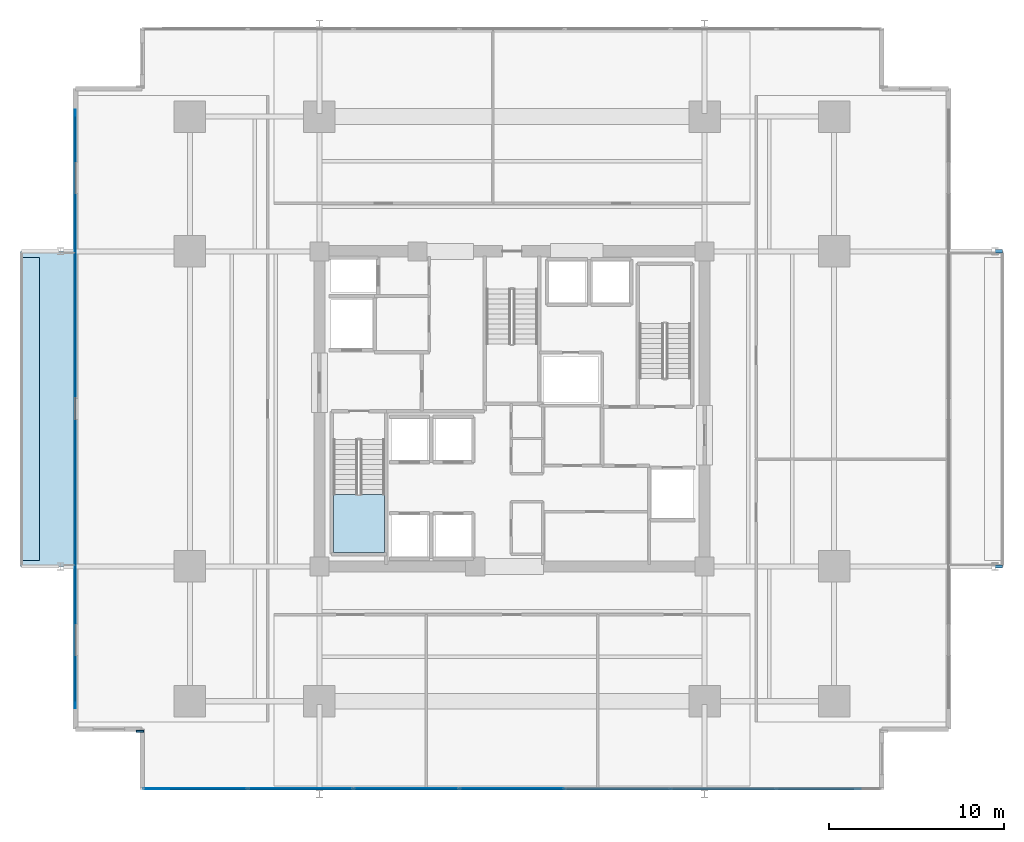
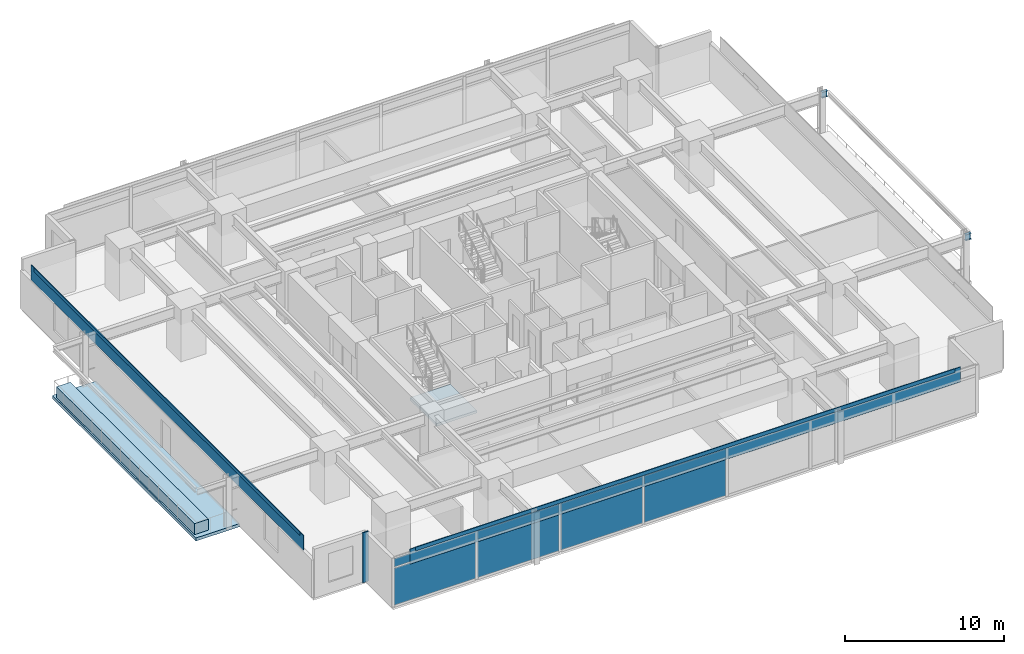
# One storey, part 13 of 21: 13 plates, 3 slabs, 2 beams, 2 elements without a shape of their own.
"""IFC4 building model written with IfcOpenShell, lengths in metres."""

from ifc_helpers import new_model, si_unit, direction, frame, origin, origin_2d, place, context, subcontext, project, spatial, polyline, rectangle, i_section, outline, extrude, material, layer, layer_set, material_profile, profile_set, type_object, element, aggregate, save


model = new_model("IFC4")

# Units and contexts
model_context = context("Model", 3, precision=1e-05, world=origin(), true_north=direction((0.0, 1.0)))
body_context = subcontext(model_context, "Body", "Model", "MODEL_VIEW")
ifc_project = project(units=[si_unit("LENGTHUNIT", "METRE"), si_unit("AREAUNIT", "SQUARE_METRE"), si_unit("VOLUMEUNIT", "CUBIC_METRE"), si_unit("PLANEANGLEUNIT", "RADIAN"), si_unit("MASSUNIT", "GRAM", prefix="KILO")], contexts=[model_context])

# Site, building, storey
site_placement = place(None, origin())
site = spatial("IfcSite", under=ifc_project, at=site_placement, CompositionType="ELEMENT")
building_placement = place(site_placement, origin())
building = spatial("IfcBuilding", under=site, at=building_placement, Name="Kovane Verandah Tower", CompositionType="ELEMENT")
storey_placement = place(building_placement, frame((0.0, 0.0, 31.60009765625)))
storey = spatial("IfcBuildingStorey", under=building, at=storey_placement, Name="L06", CompositionType="ELEMENT", Elevation=31.60009765625)

# Beams
ifc_material_1 = material(Name="Steel S355", Category="steel")
ifc_material_profile = material_profile(ifc_material_1, i_section(OverallWidth=0.19287109375, OverallDepth=0.46728515625, WebThickness=0.011474609375, FlangeThickness=0.01953125, FilletRadius=0.01025390625, at=origin_2d()), Name="UB457x191x98")
ifc_profile_set = profile_set([ifc_material_profile], Name="Steel S355")
beam_type = type_object("IfcBeamType", Name="JST-UB457x98", PredefinedType="JOIST", material=ifc_profile_set)
for number, where, z_axis, x_axis, name in (
    (1, (67.60009765625, 18.5, 3.5263671875), (1.0, 0.0, 0.0), (0.0, 1.0, 0.0), "L06 East Planter Girder 1"),
    (2, (67.60009765625, 36.5, 3.5263671875), (1.0, 0.0, 0.0), (0.0, 1.0, 0.0), "L06 East Planter Girder 2"),
):
    element("IfcBeam", number, at=place(storey_placement, frame(where, z_axis=z_axis, x_axis=x_axis)), inside=storey, type_object=beam_type, Name=name, PredefinedType="JOIST", context=body_context, shape_type="SweptSolid", body=[
        extrude(i_section(OverallWidth=0.19287109375, OverallDepth=0.46728515625, WebThickness=0.011474609375, FlangeThickness=0.01953125, FilletRadius=0.01025390625, at=origin_2d()), origin(), (0.0, 0.0, 1.0), 0.42041015625),
    ])

# Curtain wall, plates
ifc_material_2 = material(Name="Champagne Anodised Aluminium Frame with Low-E Clear Laminated Glass", Category="aluminium")
curtain_wall_type = type_object("IfcCurtainWallType", Name="CW-SYS-02-LOW", PredefinedType="NOTDEFINED", material=ifc_material_2)
curtain_wall_placement = place(storey_placement, origin())
curtain_wall = element("IfcCurtainWall", 3, at=curtain_wall_placement, inside=storey, type_object=curtain_wall_type, Name="L06 S Unitised Curtain Wall", PredefinedType="NOTDEFINED")
ifc_material_3 = material(Name="Pale Champagne Anodised Aluminium Insulated Spandrel", Category="aluminium")
ifc_layer_1 = layer(ifc_material_3, 0.0400390625)
ifc_layer_set_1 = layer_set([ifc_layer_1], Name="Pale Champagne Anodised Aluminium Insulated Spandrel")
plate_type_1 = type_object("IfcPlateType", Name="PL-CW-SPD-40", PredefinedType="SHEET", material=ifc_layer_set_1)
plate_1_placement = place(storey_placement, frame((21.8837890625, 5.804931640625, 3.02978515625), z_axis=(0.0, 0.0, 1.0), x_axis=(1.0, 0.0, 0.0)))
plate_1 = element("IfcPlate", 4, at=plate_1_placement, type_object=plate_type_1, Name="L06 S Unitised Curtain Wall Spandrel Panel 1", PredefinedType="SHEET", context=body_context, shape_type="SweptSolid", body=[
    extrude(rectangle(XDim=5.898681640625, YDim=0.0400390625, at=origin_2d()), origin(), (0.0, 0.0, 1.0), 0.639892578125),
])
plate_2_placement = place(storey_placement, frame((27.922607421875, 5.804931640625, 3.02978515625), z_axis=(0.0, 0.0, 1.0), x_axis=(1.0, 0.0, 0.0)))
plate_2 = element("IfcPlate", 5, at=plate_2_placement, type_object=plate_type_1, Name="L06 S Unitised Curtain Wall Spandrel Panel 2", PredefinedType="SHEET", context=body_context, shape_type="SweptSolid", body=[
    extrude(rectangle(XDim=5.898681640625, YDim=0.0400390625, at=origin_2d()), origin(), (0.0, 0.0, 1.0), 0.639892578125),
])
plate_3_placement = place(storey_placement, frame((33.961181640625, 5.804931640625, 3.02978515625), z_axis=(0.0, 0.0, 1.0), x_axis=(1.0, 0.0, 0.0)))
plate_3 = element("IfcPlate", 6, at=plate_3_placement, type_object=plate_type_1, Name="L06 S Unitised Curtain Wall Spandrel Panel 3", PredefinedType="SHEET", context=body_context, shape_type="SweptSolid", body=[
    extrude(rectangle(XDim=5.898681640625, YDim=0.0400390625, at=origin_2d()), origin(), (0.0, 0.0, 1.0), 0.639892578125),
])
plate_4_placement = place(storey_placement, frame((40.0, 5.804931640625, 3.02978515625), z_axis=(0.0, 0.0, 1.0), x_axis=(1.0, 0.0, 0.0)))
plate_4 = element("IfcPlate", 7, at=plate_4_placement, type_object=plate_type_1, Name="L06 S Unitised Curtain Wall Spandrel Panel 4", PredefinedType="SHEET", context=body_context, shape_type="SweptSolid", body=[
    extrude(rectangle(XDim=5.898681640625, YDim=0.0400390625, at=origin_2d()), origin(), (0.0, 0.0, 1.0), 0.639892578125),
])
ifc_material_4 = material(Name="Clear Low-E Laminated Double Glazing", Category="glass")
ifc_layer_2 = layer(ifc_material_4, 0.031982421875)
ifc_layer_set_2 = layer_set([ifc_layer_2], Name="Clear Low-E Laminated Double Glazing")
plate_type_2 = type_object("IfcPlateType", Name="PL-CW-VIS-32", PredefinedType="CURTAIN_PANEL", material=ifc_layer_set_2)
plate_5_placement = place(storey_placement, frame((21.8837890625, 5.804931640625, 0.099853515625), z_axis=(0.0, 0.0, 1.0), x_axis=(1.0, 0.0, 0.0)))
plate_5 = element("IfcPlate", 8, at=plate_5_placement, type_object=plate_type_2, Name="L06 S Unitised Curtain Wall Vision Panel 1", PredefinedType="CURTAIN_PANEL", context=body_context, shape_type="SweptSolid", body=[
    extrude(rectangle(XDim=5.898681640625, YDim=0.031982421875, at=origin_2d()), origin(), (0.0, 0.0, 1.0), 2.830078125),
])
plate_6_placement = place(storey_placement, frame((27.922607421875, 5.804931640625, 0.099853515625), z_axis=(0.0, 0.0, 1.0), x_axis=(1.0, 0.0, 0.0)))
plate_6 = element("IfcPlate", 9, at=plate_6_placement, type_object=plate_type_2, Name="L06 S Unitised Curtain Wall Vision Panel 2", PredefinedType="CURTAIN_PANEL", context=body_context, shape_type="SweptSolid", body=[
    extrude(rectangle(XDim=5.898681640625, YDim=0.031982421875, at=origin_2d()), origin(), (0.0, 0.0, 1.0), 2.830078125),
])
plate_7_placement = place(storey_placement, frame((33.961181640625, 5.804931640625, 0.099853515625), z_axis=(0.0, 0.0, 1.0), x_axis=(1.0, 0.0, 0.0)))
plate_7 = element("IfcPlate", 10, at=plate_7_placement, type_object=plate_type_2, Name="L06 S Unitised Curtain Wall Vision Panel 3", PredefinedType="CURTAIN_PANEL", context=body_context, shape_type="SweptSolid", body=[
    extrude(rectangle(XDim=5.898681640625, YDim=0.031982421875, at=origin_2d()), origin(), (0.0, 0.0, 1.0), 2.830078125),
])
plate_8_placement = place(storey_placement, frame((40.0, 5.804931640625, 0.099853515625), z_axis=(0.0, 0.0, 1.0), x_axis=(1.0, 0.0, 0.0)))
plate_8 = element("IfcPlate", 11, at=plate_8_placement, type_object=plate_type_2, Name="L06 S Unitised Curtain Wall Vision Panel 4", PredefinedType="CURTAIN_PANEL", context=body_context, shape_type="SweptSolid", body=[
    extrude(rectangle(XDim=5.898681640625, YDim=0.031982421875, at=origin_2d()), origin(), (0.0, 0.0, 1.0), 2.830078125),
])
aggregate(curtain_wall, [plate_5, plate_1, plate_6, plate_2, plate_7, plate_3, plate_8, plate_4])

# Plates
ifc_material_5 = material(Name="Timber-Toned Subtropical Aluminium Vertical Blade", Category="wood")
ifc_layer_3 = layer(ifc_material_5, 0.090087890625)
ifc_layer_set_3 = layer_set([ifc_layer_3], Name="Timber-Toned Subtropical Aluminium Vertical Blade")
plate_type_3 = type_object("IfcPlateType", Name="PL-FIN-90", PredefinedType="USERDEFINED", material=ifc_layer_set_3)
plate_9_placement = place(storey_placement, frame((18.744384765625, 9.0849609375, -0.02001953125), z_axis=(0.0, 0.0, 1.0), x_axis=(1.0, 0.0, 0.0)))
element("IfcPlate", 12, at=plate_9_placement, inside=storey, type_object=plate_type_3, Name="L06 SW Timber-Toned Vertical Corner Fin", ObjectType="FIN", PredefinedType="USERDEFINED", context=body_context, shape_type="SweptSolid", body=[
    extrude(rectangle(XDim=0.419921875, YDim=0.090087890625, at=origin_2d()), origin(), (0.0, 0.0, 1.0), 3.820068359375),
])
ifc_material_6 = material(Name="Perforated Pale Champagne Anodised Aluminium Solar Screen", Category="aluminium")
ifc_layer_4 = layer(ifc_material_6, 0.050048828125)
ifc_layer_set_4 = layer_set([ifc_layer_4], Name="Perforated Pale Champagne Anodised Aluminium Solar Screen")
plate_type_4 = type_object("IfcPlateType", Name="PL-SCREEN-50", PredefinedType="USERDEFINED", material=ifc_layer_set_4)
plate_10_placement = place(storey_placement, frame((40.0, 5.7900390625, 2.85986328125), z_axis=(0.0, 0.0, 1.0), x_axis=(1.0, 0.0, 0.0)))
element("IfcPlate", 13, at=plate_10_placement, inside=storey, type_object=plate_type_4, Name="L06 S Perforated Champagne-Gold Solar Screen", ObjectType="SCREEN", PredefinedType="USERDEFINED", context=body_context, shape_type="SweptSolid", body=[
    extrude(rectangle(XDim=39.87109375, YDim=0.050048828125, at=origin_2d()), origin(), (0.0, 0.0, 1.0), 1.14990234375),
])
plate_11_placement = place(storey_placement, frame((15.04931640625, 27.5, 2.85986328125), z_axis=(0.0, 0.0, 1.0), x_axis=(0.0, -1.0, 0.0)))
element("IfcPlate", 14, at=plate_11_placement, inside=storey, type_object=plate_type_4, Name="L06 W Perforated Champagne-Gold Solar Screen", ObjectType="SCREEN", PredefinedType="USERDEFINED", context=body_context, shape_type="SweptSolid", body=[
    extrude(rectangle(XDim=34.18994140625, YDim=0.050048828125, at=origin_2d()), origin(), (0.0, 0.0, 1.0), 1.14990234375),
])
ifc_material_7 = material(Name="Extruded Pale-Bronze Aluminium Aerofoil Sunshade", Category="aluminium")
ifc_layer_5 = layer(ifc_material_7, 0.06005859375)
ifc_layer_set_5 = layer_set([ifc_layer_5], Name="Extruded Pale-Bronze Aluminium Aerofoil Sunshade")
plate_type_5 = type_object("IfcPlateType", Name="PL-SUNSHADE-60", PredefinedType="USERDEFINED", material=ifc_layer_set_5)
plate_12_placement = place(storey_placement, frame((40.0, 5.784912109375, 3.73974609375), z_axis=(0.0, 0.0, 1.0), x_axis=(1.0, 0.0, 0.0)))
element("IfcPlate", 15, at=plate_12_placement, inside=storey, type_object=plate_type_5, Name="L06 S Subtropical Aerofoil Sunshade", ObjectType="SUNSHADE", PredefinedType="USERDEFINED", context=body_context, shape_type="SweptSolid", body=[
    extrude(rectangle(XDim=39.071044921875, YDim=0.06005859375, at=origin_2d()), origin(), (0.0, 0.0, 1.0), 0.280029296875),
])
plate_13_placement = place(storey_placement, frame((15.044189453125, 27.5, 3.73974609375), z_axis=(0.0, 0.0, 1.0), x_axis=(0.0, -1.0, 0.0)))
element("IfcPlate", 16, at=plate_13_placement, inside=storey, type_object=plate_type_5, Name="L06 W Subtropical Aerofoil Sunshade", ObjectType="SUNSHADE", PredefinedType="USERDEFINED", context=body_context, shape_type="SweptSolid", body=[
    extrude(rectangle(XDim=33.389892578125, YDim=0.06005859375, at=origin_2d()), origin(), (0.0, 0.0, 1.0), 0.280029296875),
])

# Slab
ifc_material_8 = material(Name="Concrete C45/55", Category="concrete")
ifc_layer_6 = layer(ifc_material_8, 0.239990234375)
ifc_layer_set_6 = layer_set([ifc_layer_6], Name="Concrete C45/55")
slab_type_1 = type_object("IfcSlabType", Name="SL-BALC-240", PredefinedType="FLOOR", material=ifc_layer_set_6)
slab_1_placement = place(storey_placement, frame((0.0, 0.0, -0.239990234375)))
element("IfcSlab", 17, at=slab_1_placement, inside=storey, type_object=slab_type_1, Name="L06 W Planted Verandah Balcony Slab", PredefinedType="FLOOR", context=body_context, shape_type="SweptSolid", body=[
    extrude(outline(polyline([(11.914306640625, 18.5), (15.064208984375, 18.5), (15.064208984375, 36.5), (11.914306640625, 36.5), (11.914306640625, 18.5)])), origin(), (0.0, 0.0, 1.0), 0.239990234375),
])

# Stair, slab
stair_type = type_object("IfcStairType", Name="ST-CORE-1380", PredefinedType="HALF_TURN_STAIR", material=ifc_material_8)
stair_placement = place(storey_placement, origin())
stair = element("IfcStair", 18, at=stair_placement, inside=storey, type_object=stair_type, Name="L06 Exit Stair ST-01", PredefinedType="HALF_TURN_STAIR")
ifc_layer_7 = layer(ifc_material_8, 0.199951171875)
ifc_layer_set_7 = layer_set([ifc_layer_7], Name="Concrete C45/55")
slab_type_2 = type_object("IfcSlabType", Name="SL-LAND-200", PredefinedType="LANDING", material=ifc_layer_set_7)
slab_2_placement = place(storey_placement, frame((0.0, 0.0, 1.7998046875)))
slab_2 = element("IfcSlab", 19, at=slab_2_placement, type_object=slab_type_2, Name="ST-01 landing 1", PredefinedType="LANDING", context=body_context, shape_type="SweptSolid", body=[
    extrude(outline(polyline([(29.800048828125, 22.614990234375), (29.800048828125, 19.300048828125), (32.719970703125, 19.300048828125), (32.719970703125, 22.614990234375), (29.800048828125, 22.614990234375)])), origin(), (0.0, 0.0, 1.0), 0.2001953125),
])
aggregate(stair, [slab_2])

# Slab
ifc_material_9 = material(Name="Architectural Precast Concrete C45/55 Planter Trough", Category="concrete")
ifc_layer_8 = layer(ifc_material_9, 0.219970703125)
ifc_layer_set_8 = layer_set([ifc_layer_8], Name="Architectural Precast Concrete C45/55 Planter Trough")
slab_type_3 = type_object("IfcSlabType", Name="SL-PLANTER-220", PredefinedType="USERDEFINED", material=ifc_layer_set_8)
slab_3_placement = place(storey_placement, origin())
element("IfcSlab", 20, at=slab_3_placement, inside=storey, type_object=slab_type_3, Name="L06 W Structural Tree Planter", ObjectType="PLANTER", PredefinedType="USERDEFINED", context=body_context, shape_type="SweptSolid", body=[
    extrude(outline(polyline([(12.014404296875, 18.85009765625), (13.014404296875, 18.85009765625), (13.014404296875, 36.14990234375), (12.014404296875, 36.14990234375), (12.014404296875, 18.85009765625)])), origin(), (0.0, 0.0, 1.0), 0.849853515625),
])

save(model, "model.ifc")
